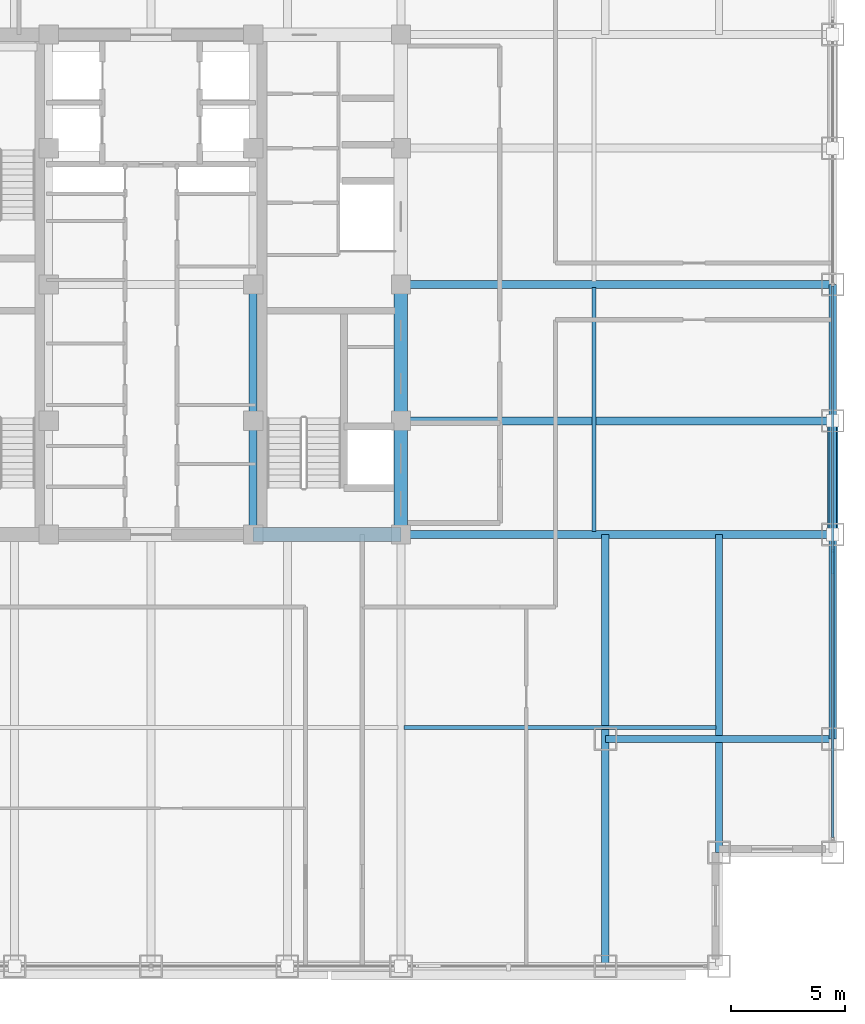
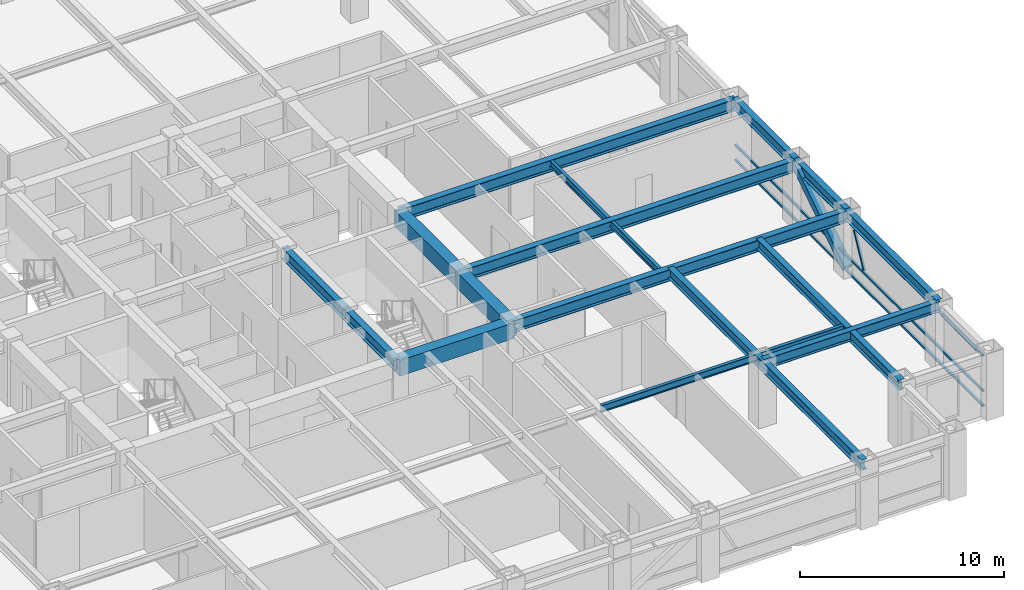
# One storey, part 9 of 29: 16 beams, 5 members, 1 element without a shape of its own.
"""IFC4 building model written with IfcOpenShell, lengths in metres."""

from ifc_helpers import new_model, si_unit, direction, frame, origin, origin_2d, place, context, subcontext, project, spatial, rectangle, hollow_rectangle, i_section, extrude, source, transform, mapped, material, material_profile, profile_set, type_object, element, aggregate, save


model = new_model("IFC4")

# Units and contexts
model_context = context("Model", 3, precision=1e-05, world=origin(), true_north=direction((0.0, 1.0)))
body_context = subcontext(model_context, "Body", "Model", "MODEL_VIEW")
ifc_project = project(units=[si_unit("LENGTHUNIT", "METRE"), si_unit("AREAUNIT", "SQUARE_METRE"), si_unit("VOLUMEUNIT", "CUBIC_METRE"), si_unit("PLANEANGLEUNIT", "RADIAN"), si_unit("MASSUNIT", "GRAM", prefix="KILO")], contexts=[model_context])

# Site, building, storey
site_placement = place(None, origin())
site = spatial("IfcSite", under=ifc_project, at=site_placement, CompositionType="ELEMENT")
building_placement = place(site_placement, origin())
building = spatial("IfcBuilding", under=site, at=building_placement, Name="Khorayat Bourse Tower", CompositionType="ELEMENT")
storey_placement = place(building_placement, frame((0.0, 0.0, 243.10009765625)))
storey = spatial("IfcBuildingStorey", under=building, at=storey_placement, Name="L57", CompositionType="ELEMENT", Elevation=243.10009765625)

# Beams
ifc_material_1 = material(Name="Steel ASTM A992 Grade 50", Category="steel")
ifc_material_profile_1 = material_profile(ifc_material_1, i_section(OverallWidth=0.35498046875, OverallDepth=0.695068359375, WebThickness=0.015380859375, FlangeThickness=0.02490234375, FilletRadius=0.01806640625, at=origin_2d()), Name="W690X217")
ifc_profile_set_1 = profile_set([ifc_material_profile_1], Name="Steel ASTM A992 Grade 50")
beam_type_1 = type_object("IfcBeamType", Name="BM-GIRD-690", PredefinedType="BEAM", material=ifc_profile_set_1)
shared_shape_1 = source(origin(), body_context, "Body", "SweptSolid", [
    extrude(i_section(OverallWidth=0.35498046875, OverallDepth=0.695068359375, WebThickness=0.015380859375, FlangeThickness=0.02490234375, FilletRadius=0.01806640625, at=origin_2d()), origin(), (0.0, 0.0, 1.0), 5.0),
])
beam_1_placement = place(storey_placement, frame((4.5, -11.0, 3.432373046875), z_axis=(0.0, 1.0, 0.0), x_axis=(-1.0, 0.0, 0.0)))
element("IfcBeam", 1, at=beam_1_placement, inside=storey, type_object=beam_type_1, Name="L57 BM-GIRD-690 BM-L57-CRX-09", PredefinedType="BEAM", context=body_context, shape_type="MappedRepresentation", body=[
    mapped(shared_shape_1, transform((0.0, 0.0, 0.0), scale=1.0)),
])
shared_shape_2 = source(origin(), body_context, "Body", "SweptSolid", [
    extrude(i_section(OverallWidth=0.35498046875, OverallDepth=0.695068359375, WebThickness=0.015380859375, FlangeThickness=0.02490234375, FilletRadius=0.01806640625, at=origin_2d()), origin(), (0.0, 0.0, 1.0), 6.0),
])
beam_2_placement = place(storey_placement, frame((4.5, -6.0, 3.432373046875), z_axis=(0.0, 1.0, 0.0), x_axis=(-1.0, 0.0, 0.0)))
element("IfcBeam", 2, at=beam_2_placement, inside=storey, type_object=beam_type_1, Name="L57 BM-GIRD-690 BM-L57-CRX-10", PredefinedType="BEAM", context=body_context, shape_type="MappedRepresentation", body=[
    mapped(shared_shape_2, transform((0.0, 0.0, 0.0), scale=1.0)),
])
ifc_material_profile_2 = material_profile(ifc_material_1, i_section(OverallWidth=0.324951171875, OverallDepth=0.615966796875, WebThickness=0.013916015625, FlangeThickness=0.021484375, FilletRadius=0.01611328125, at=origin_2d()), Name="W610X174")
ifc_profile_set_2 = profile_set([ifc_material_profile_2], Name="Steel ASTM A992 Grade 50")
beam_type_2 = type_object("IfcBeamType", Name="BM-GIRD-610", PredefinedType="BEAM", material=ifc_profile_set_2)
shared_shape_3 = source(origin(), body_context, "Body", "SweptSolid", [
    extrude(i_section(OverallWidth=0.324951171875, OverallDepth=0.615966796875, WebThickness=0.013916015625, FlangeThickness=0.021484375, FilletRadius=0.01611328125, at=origin_2d()), origin(), (0.0, 0.0, 1.0), 19.0),
])
beam_3_placement = place(storey_placement, frame((20.0, -30.0, 3.471923828125), z_axis=(0.0, 1.0, 0.0), x_axis=(-1.0, 0.0, 0.0)))
element("IfcBeam", 3, at=beam_3_placement, inside=storey, type_object=beam_type_2, Name="L57 BM-GIRD-610 BM-L57-CNRY-086", PredefinedType="BEAM", context=body_context, shape_type="MappedRepresentation", body=[
    mapped(shared_shape_3, transform((0.0, 0.0, 0.0), scale=1.0)),
])
shared_shape_4 = source(origin(), body_context, "Body", "SweptSolid", [
    extrude(i_section(OverallWidth=0.324951171875, OverallDepth=0.615966796875, WebThickness=0.013916015625, FlangeThickness=0.021484375, FilletRadius=0.01611328125, at=origin_2d()), origin(), (0.0, 0.0, 1.0), 10.0),
])
beam_4_placement = place(storey_placement, frame((20.0, -20.0, 3.471923828125), z_axis=(1.0, 0.0, 0.0), x_axis=(0.0, 1.0, 0.0)))
element("IfcBeam", 4, at=beam_4_placement, inside=storey, type_object=beam_type_2, Name="L57 BM-GIRD-610 BM-L57-CNRX-092", PredefinedType="BEAM", context=body_context, shape_type="MappedRepresentation", body=[
    mapped(shared_shape_4, transform((0.0, 0.0, 0.0), scale=1.0)),
])
ifc_material_profile_3 = material_profile(ifc_material_1, i_section(OverallWidth=0.180908203125, OverallDepth=0.4169921875, WebThickness=0.010986328125, FlangeThickness=0.018310546875, FilletRadius=0.011962890625, at=origin_2d()), Name="W410X85")
ifc_profile_set_3 = profile_set([ifc_material_profile_3], Name="Steel ASTM A992 Grade 50")
beam_type_3 = type_object("IfcBeamType", Name="BM-JOIST-410", PredefinedType="JOIST", material=ifc_profile_set_3)
shared_shape_5 = source(origin(), body_context, "Body", "SweptSolid", [
    extrude(i_section(OverallWidth=0.180908203125, OverallDepth=0.4169921875, WebThickness=0.010986328125, FlangeThickness=0.018310546875, FilletRadius=0.011962890625, at=origin_2d()), origin(), (0.0, 0.0, 1.0), 10.740234375),
])
beam_5_placement = place(storey_placement, frame((19.5, -10.8701171875, 3.5712890625), z_axis=(0.0, 1.0, 0.0), x_axis=(-1.0, 0.0, 0.0)))
element("IfcBeam", 5, at=beam_5_placement, inside=storey, type_object=beam_type_3, Name="L57 BM-JOIST-410 BM-L57-JSTY-104", PredefinedType="JOIST", context=body_context, shape_type="MappedRepresentation", body=[
    mapped(shared_shape_5, transform((0.0, 0.0, 0.0), scale=1.0)),
])
ifc_material_profile_4 = material_profile(ifc_material_1, i_section(OverallWidth=0.324951171875, OverallDepth=0.615966796875, WebThickness=0.013916015625, FlangeThickness=0.021484375, FilletRadius=0.01611328125, at=origin_2d()), Name="W610X174")
ifc_profile_set_4 = profile_set([ifc_material_profile_4], Name="Steel ASTM A992 Grade 50")
beam_type_4 = type_object("IfcBeamType", Name="BM-SPAN-610", PredefinedType="SPANDREL", material=ifc_profile_set_4)
shared_shape_6 = source(origin(), body_context, "Body", "SweptSolid", [
    extrude(i_section(OverallWidth=0.324951171875, OverallDepth=0.615966796875, WebThickness=0.013916015625, FlangeThickness=0.021484375, FilletRadius=0.01611328125, at=origin_2d()), origin(), (0.0, 0.0, 1.0), 9.0),
])
beam_6_placement = place(storey_placement, frame((30.0, -20.0, 3.471923828125), z_axis=(0.0, 1.0, 0.0), x_axis=(-1.0, 0.0, 0.0)))
element("IfcBeam", 6, at=beam_6_placement, inside=storey, type_object=beam_type_4, Name="L57 BM-SPAN-610 BM-L57-SPN-035", PredefinedType="SPANDREL", context=body_context, shape_type="MappedRepresentation", body=[
    mapped(shared_shape_6, transform((0.0, 0.0, 0.0), scale=1.0)),
])
shared_shape_7 = source(origin(), body_context, "Body", "SweptSolid", [
    extrude(i_section(OverallWidth=0.324951171875, OverallDepth=0.615966796875, WebThickness=0.013916015625, FlangeThickness=0.021484375, FilletRadius=0.01611328125, at=origin_2d()), origin(), (0.0, 0.0, 1.0), 5.0),
])
beam_7_placement = place(storey_placement, frame((30.0, -11.0, 3.471923828125), z_axis=(0.0, 1.0, 0.0), x_axis=(-1.0, 0.0, 0.0)))
element("IfcBeam", 7, at=beam_7_placement, inside=storey, type_object=beam_type_4, Name="L57 BM-SPAN-610 BM-L57-SPN-036", PredefinedType="SPANDREL", context=body_context, shape_type="MappedRepresentation", body=[
    mapped(shared_shape_7, transform((0.0, 0.0, 0.0), scale=1.0)),
])
shared_shape_8 = source(origin(), body_context, "Body", "SweptSolid", [
    extrude(i_section(OverallWidth=0.324951171875, OverallDepth=0.615966796875, WebThickness=0.013916015625, FlangeThickness=0.021484375, FilletRadius=0.01611328125, at=origin_2d()), origin(), (0.0, 0.0, 1.0), 6.0),
])
beam_8_placement = place(storey_placement, frame((30.0, -6.0, 3.471923828125), z_axis=(0.0, 1.0, 0.0), x_axis=(-1.0, 0.0, 0.0)))
element("IfcBeam", 8, at=beam_8_placement, inside=storey, type_object=beam_type_4, Name="L57 BM-SPAN-610 BM-L57-SPN-037", PredefinedType="SPANDREL", context=body_context, shape_type="MappedRepresentation", body=[
    mapped(shared_shape_8, transform((0.0, 0.0, 0.0), scale=1.0)),
])
ifc_material_2 = material(Name="Concrete C60/75", Category="concrete")
ifc_material_profile_5 = material_profile(ifc_material_2, rectangle(XDim=0.60009765625, YDim=0.949951171875, at=origin_2d()), Name="RC 600x950")
ifc_profile_set_5 = profile_set([ifc_material_profile_5], Name="Concrete C60/75")
beam_type_5 = type_object("IfcBeamType", Name="BM-COUP-950", PredefinedType="BEAM", material=ifc_profile_set_5)
shared_shape_9 = source(origin(), body_context, "Body", "SweptSolid", [
    extrude(rectangle(XDim=0.60009765625, YDim=0.949951171875, at=origin_2d()), origin(), (0.0, 0.0, 1.0), 5.0),
])
beam_9_placement = place(storey_placement, frame((11.0, -11.0, 3.304931640625), z_axis=(0.0, 1.0, 0.0), x_axis=(-1.0, 0.0, 0.0)))
element("IfcBeam", 9, at=beam_9_placement, inside=storey, type_object=beam_type_5, Name="L57 BM-COUP-950 BM-L57-CRX-13", PredefinedType="BEAM", context=body_context, shape_type="MappedRepresentation", body=[
    mapped(shared_shape_9, transform((0.0, 0.0, 0.0), scale=1.0)),
])
shared_shape_10 = source(origin(), body_context, "Body", "SweptSolid", [
    extrude(rectangle(XDim=0.60009765625, YDim=0.949951171875, at=origin_2d()), origin(), (0.0, 0.0, 1.0), 6.0),
])
beam_10_placement = place(storey_placement, frame((11.0, -6.0, 3.304931640625), z_axis=(0.0, 1.0, 0.0), x_axis=(-1.0, 0.0, 0.0)))
element("IfcBeam", 10, at=beam_10_placement, inside=storey, type_object=beam_type_5, Name="L57 BM-COUP-950 BM-L57-CRX-14", PredefinedType="BEAM", context=body_context, shape_type="MappedRepresentation", body=[
    mapped(shared_shape_10, transform((0.0, 0.0, 0.0), scale=1.0)),
])
shared_shape_11 = source(origin(), body_context, "Body", "SweptSolid", [
    extrude(rectangle(XDim=0.60009765625, YDim=0.949951171875, at=origin_2d()), origin(), (0.0, 0.0, 1.0), 6.5),
])
beam_11_placement = place(storey_placement, frame((4.5, -11.0, 3.304931640625), z_axis=(1.0, 0.0, 0.0), x_axis=(0.0, 1.0, 0.0)))
element("IfcBeam", 11, at=beam_11_placement, inside=storey, type_object=beam_type_5, Name="L57 BM-COUP-950 BM-L57-CRY-19", PredefinedType="BEAM", context=body_context, shape_type="MappedRepresentation", body=[
    mapped(shared_shape_11, transform((0.0, 0.0, 0.0), scale=1.0)),
])
shared_shape_12 = source(origin(), body_context, "Body", "SweptSolid", [
    extrude(i_section(OverallWidth=0.35498046875, OverallDepth=0.695068359375, WebThickness=0.015380859375, FlangeThickness=0.02490234375, FilletRadius=0.01806640625, at=origin_2d()), origin(), (0.0, 0.0, 1.0), 19.0),
])
for number, where, z_axis, x_axis, name in (
    (12, (11.0, -11.0, 3.432373046875), (1.0, 0.0, 0.0), (0.0, 1.0, 0.0), "L57 BM-GIRD-690 BM-L57-RADX-074"),
    (13, (11.0, -6.0, 3.432373046875), (1.0, 0.0, 0.0), (0.0, 1.0, 0.0), "L57 BM-GIRD-690 BM-L57-RADX-076"),
    (14, (11.0, 0.0, 3.432373046875), (1.0, 0.0, 0.0), (0.0, 1.0, 0.0), "L57 BM-GIRD-690 BM-L57-RADX-078"),
):
    element("IfcBeam", number, at=place(storey_placement, frame(where, z_axis=z_axis, x_axis=x_axis)), inside=storey, type_object=beam_type_1, Name=name, PredefinedType="BEAM", context=body_context, shape_type="MappedRepresentation", body=[
        mapped(shared_shape_12, transform((0.0, 0.0, 0.0), scale=1.0)),
    ])
shared_shape_13 = source(origin(), body_context, "Body", "SweptSolid", [
    extrude(i_section(OverallWidth=0.324951171875, OverallDepth=0.615966796875, WebThickness=0.013916015625, FlangeThickness=0.021484375, FilletRadius=0.01611328125, at=origin_2d()), origin(), (0.0, 0.0, 1.0), 14.0),
])
beam_12_placement = place(storey_placement, frame((25.0, -25.0, 3.471923828125), z_axis=(0.0, 1.0, 0.0), x_axis=(-1.0, 0.0, 0.0)))
element("IfcBeam", 15, at=beam_12_placement, inside=storey, type_object=beam_type_2, Name="L57 BM-GIRD-610 BM-L57-CNRY-090", PredefinedType="BEAM", context=body_context, shape_type="MappedRepresentation", body=[
    mapped(shared_shape_13, transform((0.0, 0.0, 0.0), scale=1.0)),
])
shared_shape_14 = source(origin(), body_context, "Body", "SweptSolid", [
    extrude(i_section(OverallWidth=0.180908203125, OverallDepth=0.4169921875, WebThickness=0.010986328125, FlangeThickness=0.018310546875, FilletRadius=0.011962890625, at=origin_2d()), origin(), (0.0, 0.0, 1.0), 13.740234375),
])
beam_13_placement = place(storey_placement, frame((11.1298828125, -19.5, 3.5712890625), z_axis=(1.0, 0.0, 0.0), x_axis=(0.0, 1.0, 0.0)))
element("IfcBeam", 16, at=beam_13_placement, inside=storey, type_object=beam_type_3, Name="L57 BM-JOIST-410 BM-L57-JSTX-098", PredefinedType="JOIST", context=body_context, shape_type="MappedRepresentation", body=[
    mapped(shared_shape_14, transform((0.0, 0.0, 0.0), scale=1.0)),
])

# Member
ifc_material_3 = material(Name="Steel EN 10025-4 S460M", Category="steel")
ifc_material_profile_6 = material_profile(ifc_material_3, hollow_rectangle(XDim=0.449951171875, YDim=0.449951171875, WallThickness=0.02490234375, at=origin_2d()), Name="HSS 450x450x25")
ifc_profile_set_6 = profile_set([ifc_material_profile_6], Name="Steel EN 10025-4 S460M")
member_type_1 = type_object("IfcMemberType", Name="MBR-TUBE-450", PredefinedType="BRACE", material=ifc_profile_set_6)
shared_shape_15 = source(origin(), body_context, "Body", "SweptSolid", [
    extrude(hollow_rectangle(XDim=0.449951171875, YDim=0.449951171875, WallThickness=0.02490234375, at=origin_2d()), origin(), (0.0, 0.0, 1.0), 5.979736328125),
])
member_1_placement = place(storey_placement, frame((30.0, -11.0, 0.25), z_axis=(0.0, 0.836160261256, 0.548485202623), x_axis=(-1.0, 0.0, 0.0)))
element("IfcMember", 17, at=member_1_placement, inside=storey, type_object=member_type_1, Name="L57 Perimeter Tube Brace 07", PredefinedType="BRACE", context=body_context, shape_type="MappedRepresentation", body=[
    mapped(shared_shape_15, transform((0.0, 0.0, 0.0), scale=1.0)),
])

# Curtain wall, members
ifc_material_4 = material(Name="Aluminium EN AW-6063 T6", Category="aluminium")
curtain_wall_type = type_object("IfcCurtainWallType", Name="CW-SYS-03", PredefinedType="NOTDEFINED", material=ifc_material_4)
curtain_wall_placement = place(storey_placement, origin())
curtain_wall = element("IfcCurtainWall", 18, at=curtain_wall_placement, inside=storey, type_object=curtain_wall_type, Name="L57 Curtain Wall CW-L57-E1", PredefinedType="NOTDEFINED")
ifc_material_profile_7 = material_profile(ifc_material_4, hollow_rectangle(XDim=0.1201171875, YDim=0.1201171875, WallThickness=0.0048828125, at=origin_2d()), Name="ALU 120x120x5")
ifc_profile_set_7 = profile_set([ifc_material_profile_7], Name="Aluminium EN AW-6063 T6")
member_type_2 = type_object("IfcMemberType", Name="CWM-DIAG-120", PredefinedType="MULLION", material=ifc_profile_set_7)
shared_shape_16 = source(origin(), body_context, "Body", "SweptSolid", [
    extrude(hollow_rectangle(XDim=0.1201171875, YDim=0.1201171875, WallThickness=0.0048828125, at=origin_2d()), origin(), (0.0, 0.0, 1.0), 2.079345703125),
])
member_2_placement = place(storey_placement, frame((30.0, -12.67919921875, 1.08984375), z_axis=(0.0, 0.465760949701, 0.884910581773), x_axis=(-1.0, 0.0, 0.0)))
member_2 = element("IfcMember", 19, at=member_2_placement, type_object=member_type_2, Name="CW-L57-E1 Faceted Diagonal Mullion 1", PredefinedType="MULLION", context=body_context, shape_type="MappedRepresentation", body=[
    mapped(shared_shape_16, transform((0.0, 0.0, 0.0), scale=1.0)),
])
ifc_material_profile_8 = material_profile(ifc_material_4, hollow_rectangle(XDim=0.1201171875, YDim=0.1201171875, WallThickness=0.0048828125, at=origin_2d()), Name="ALU 120x120x5")
ifc_profile_set_8 = profile_set([ifc_material_profile_8], Name="Aluminium EN AW-6063 T6")
member_type_3 = type_object("IfcMemberType", Name="CWT-HORZ-120", PredefinedType="USERDEFINED", material=ifc_profile_set_8)
shared_shape_17 = source(origin(), body_context, "Body", "SweptSolid", [
    extrude(hollow_rectangle(XDim=0.1201171875, YDim=0.1201171875, WallThickness=0.0048828125, at=origin_2d()), origin(), (0.0, 0.0, 1.0), 24.27001953125),
])
member_3_placement = place(storey_placement, frame((30.0, -24.330078125, 0.059814453125), z_axis=(0.0, 1.0, 0.0), x_axis=(-1.0, 0.0, 0.0)))
member_3 = element("IfcMember", 20, at=member_3_placement, type_object=member_type_3, Name="CW-L57-E1 Horizontal Transom 1-1", ObjectType="TRANSOM", PredefinedType="USERDEFINED", context=body_context, shape_type="MappedRepresentation", body=[
    mapped(shared_shape_17, transform((0.0, 0.0, 0.0), scale=1.0)),
])
member_4_placement = place(storey_placement, frame((30.0, -24.330078125, 0.949951171875), z_axis=(0.0, 1.0, 0.0), x_axis=(-1.0, 0.0, 0.0)))
member_4 = element("IfcMember", 21, at=member_4_placement, type_object=member_type_3, Name="CW-L57-E1 Horizontal Transom 1-2", ObjectType="TRANSOM", PredefinedType="USERDEFINED", context=body_context, shape_type="MappedRepresentation", body=[
    mapped(shared_shape_17, transform((0.0, 0.0, 0.0), scale=1.0)),
])
member_5_placement = place(storey_placement, frame((30.0, -24.330078125, 3.06982421875), z_axis=(0.0, 1.0, 0.0), x_axis=(-1.0, 0.0, 0.0)))
member_5 = element("IfcMember", 22, at=member_5_placement, type_object=member_type_3, Name="CW-L57-E1 Horizontal Transom 1-3", ObjectType="TRANSOM", PredefinedType="USERDEFINED", context=body_context, shape_type="MappedRepresentation", body=[
    mapped(shared_shape_17, transform((0.0, 0.0, 0.0), scale=1.0)),
])
aggregate(curtain_wall, [member_3, member_4, member_5, member_2])

save(model, "model.ifc")
